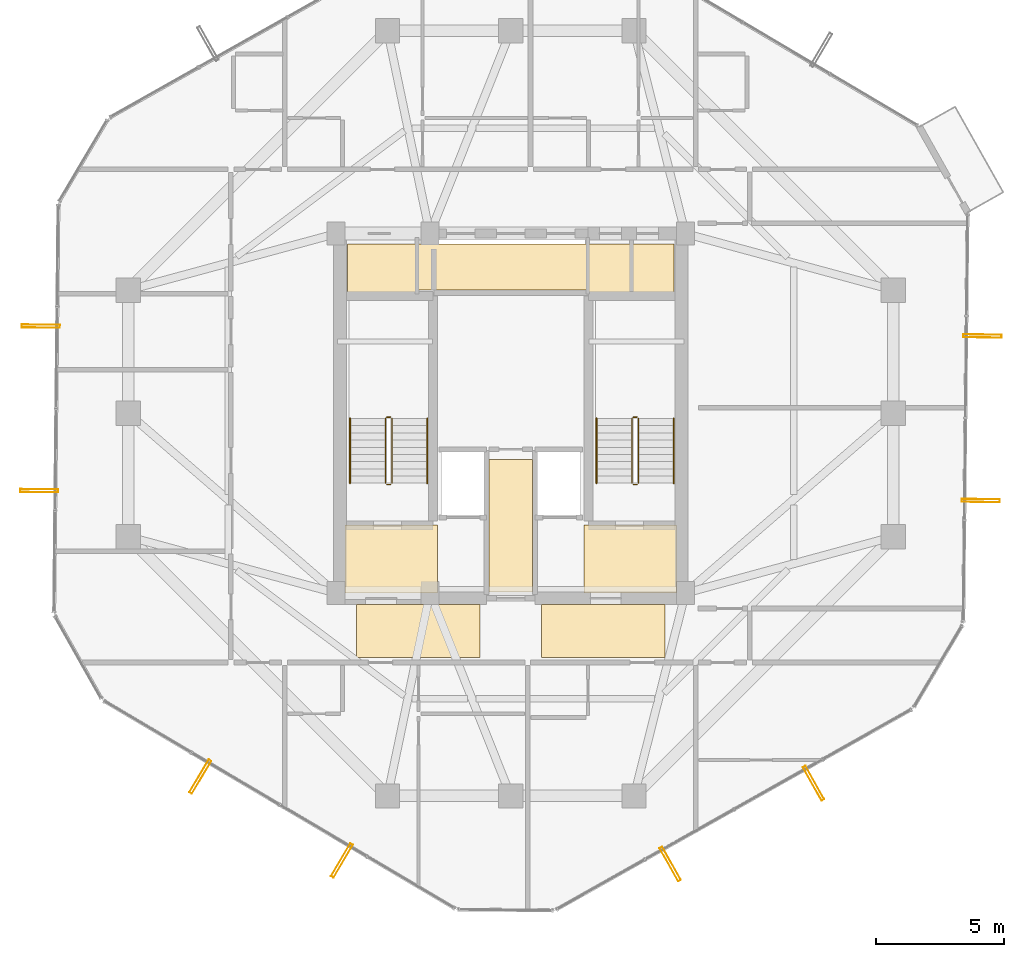
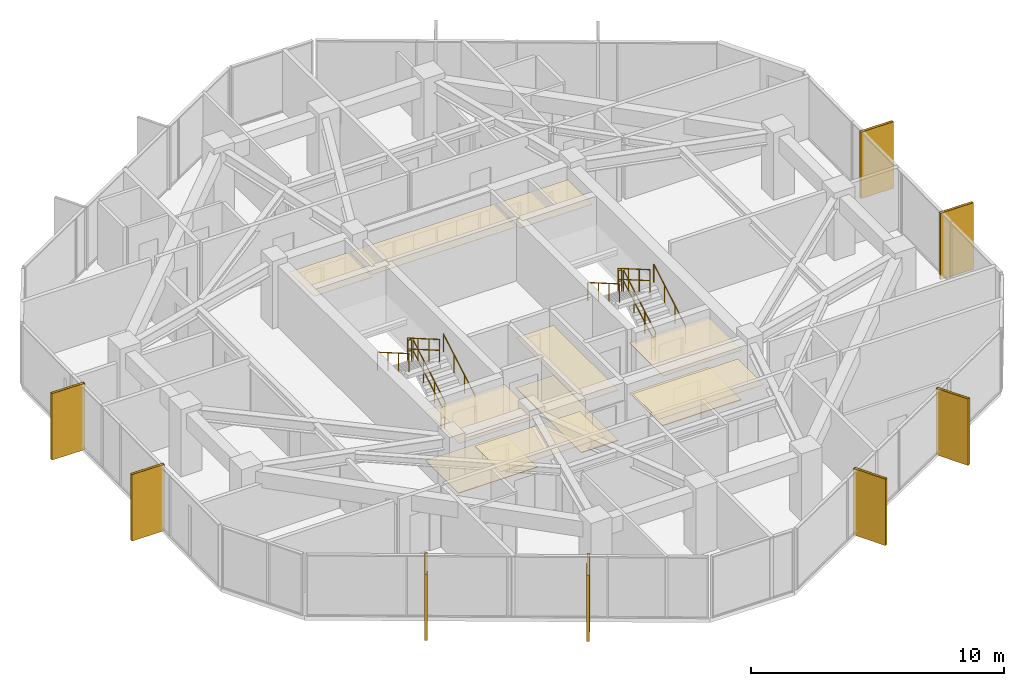
# One storey, part 29 of 30: 12 railings, 11 coverings, 8 shading devices.
"""IFC4 building model written with IfcOpenShell, lengths in metres."""

from ifc_helpers import new_model, si_unit, direction, frame, origin, origin_2d, place, context, subcontext, project, spatial, polyline, hollow_rectangle, circle, outline, extrude, material, layer, layer_set, material_profile, profile_set, type_object, element, save


model = new_model("IFC4")

# Units and contexts
model_context = context("Model", 3, precision=1e-05, world=origin(), true_north=direction((0.0, 1.0)))
body_context = subcontext(model_context, "Body", "Model", "MODEL_VIEW")
ifc_project = project(units=[si_unit("LENGTHUNIT", "METRE"), si_unit("AREAUNIT", "SQUARE_METRE"), si_unit("VOLUMEUNIT", "CUBIC_METRE"), si_unit("PLANEANGLEUNIT", "RADIAN"), si_unit("MASSUNIT", "GRAM", prefix="KILO")], contexts=[model_context])

# Site, building, storey
site_placement = place(None, origin())
site = spatial("IfcSite", under=ifc_project, at=site_placement, CompositionType="ELEMENT")
building_placement = place(site_placement, origin())
building = spatial("IfcBuilding", under=site, at=building_placement, Name="Veraguas Prism Commons", CompositionType="ELEMENT")
storey_placement = place(building_placement, frame((0.0, 0.0, 208.10009765625)))
storey = spatial("IfcBuildingStorey", under=building, at=storey_placement, Name="L59", CompositionType="ELEMENT", Elevation=208.10009765625)

# Shading devices
ifc_material_1 = material(Name="Anodised aluminium EN AW-6063 T6", Category="aluminium")
ifc_material_profile = material_profile(ifc_material_1, hollow_rectangle(XDim=0.1201171875, YDim=1.489990234375, WallThickness=0.006103515625, at=origin_2d()), Name="FIN120X1490X6")
ifc_profile_set = profile_set([ifc_material_profile], Name="Anodised aluminium EN AW-6063 T6")
shading_device_type = type_object("IfcShadingDeviceType", Name="Deep Pale-Metal Vertical Solar Fin 120x1490", PredefinedType="USERDEFINED", material=ifc_profile_set)
for number, where, z_axis, x_axis, name in (
    (1, (5.69921875, 27.396240234375, -0.215087890625), (0.0, 0.0, 1.0), (-0.010466548415, -0.999945224182, 0.0), "Vertical Pale-Metal Solar Fin L59-F3A"),
    (2, (5.632080078125, 20.98779296875, -0.215087890625), (0.0, 0.0, 1.0), (-0.010466548415, -0.999945224182, 0.0), "Vertical Pale-Metal Solar Fin L59-F3B"),
    (3, (11.908447265625, 9.849365234375, -0.215087890625), (0.0, 0.0, 1.0), (0.860742027004, -0.50904141575, 0.0), "Vertical Pale-Metal Solar Fin L59-F4A"),
    (4, (17.4248046875, 6.5869140625, -0.215087890625), (0.0, 0.0, 1.0), (0.860742027004, -0.50904141575, 0.0), "Vertical Pale-Metal Solar Fin L59-F4B"),
    (5, (30.208984375, 6.452880859375, -0.215087890625), (0.0, 0.0, 1.0), (0.87121381112, 0.490903753615, 0.0), "Vertical Pale-Metal Solar Fin L59-F5A"),
    (6, (35.79248046875, 9.59912109375, -0.215087890625), (0.0, 0.0, 1.0), (0.87121381112, 0.490903753615, 0.0), "Vertical Pale-Metal Solar Fin L59-F5B"),
    (7, (42.30078125, 20.603759765625, -0.215087890625), (0.0, 0.0, 1.0), (0.010466548415, 0.999945224182, 0.0), "Vertical Pale-Metal Solar Fin L59-F6A"),
    (8, (42.367919921875, 27.01220703125, -0.215087890625), (0.0, 0.0, 1.0), (0.010466548415, 0.999945224182, 0.0), "Vertical Pale-Metal Solar Fin L59-F6B"),
):
    element("IfcShadingDevice", number, at=place(storey_placement, frame(where, z_axis=z_axis, x_axis=x_axis)), inside=storey, type_object=shading_device_type, Name=name, ObjectType="FIN", PredefinedType="USERDEFINED", context=body_context, shape_type="SweptSolid", body=[
        extrude(hollow_rectangle(XDim=0.1201171875, YDim=1.489990234375, WallThickness=0.006103515625, at=origin_2d()), origin(), (0.0, 0.0, 1.0), 3.205078125),
    ])

# Coverings
ifc_material_2 = material(Name="Acoustic gypsum board")
ifc_layer_1 = layer(ifc_material_2, 0.02490234375, Name="Perforated Acoustic Ceiling Tile 25")
ifc_layer_set_1 = layer_set([ifc_layer_1], Name="Acoustic gypsum board")
covering_type_1 = type_object("IfcCoveringType", Name="Perforated Acoustic Ceiling Tile 25", PredefinedType="USERDEFINED", material=ifc_layer_set_1)
covering_1_placement = place(storey_placement, frame((0.0, 0.0, 2.4248046875)))
element("IfcCovering", 9, at=covering_1_placement, inside=storey, type_object=covering_type_1, Name="East Lobby Acoustic Ceiling L59", ObjectType="ACOUSTIC CEILING", PredefinedType="USERDEFINED", context=body_context, shape_type="SweptSolid", body=[
    extrude(outline(polyline([(26.85009765625, 17.0), (30.449951171875, 17.0), (30.449951171875, 19.64990234375), (26.85009765625, 19.64990234375), (26.85009765625, 17.0)])), origin(), (0.0, 0.0, 1.0), 0.025146484375),
])
ifc_material_3 = material(Name="Terrazzo stone finish", Category="masonry")
ifc_layer_2 = layer(ifc_material_3, 0.030029296875, Name="Polished Terrazzo Floor Finish 30", Category="masonry")
ifc_layer_set_2 = layer_set([ifc_layer_2], Name="Terrazzo stone finish")
covering_type_2 = type_object("IfcCoveringType", Name="Polished Terrazzo Floor Finish 30", PredefinedType="FLOORING", material=ifc_layer_set_2)
covering_2_placement = place(storey_placement, origin())
element("IfcCovering", 10, at=covering_2_placement, inside=storey, type_object=covering_type_2, Name="Terrazzo Lobby Flooring L59", PredefinedType="FLOORING", context=body_context, shape_type="SweptSolid", body=[
    extrude(outline(polyline([(23.14990234375, 17.050048828125), (24.85009765625, 17.050048828125), (24.85009765625, 22.199951171875), (23.14990234375, 22.199951171875), (23.14990234375, 17.050048828125)])), origin(), (0.0, 0.0, 1.0), 0.02978515625),
])
covering_3_placement = place(storey_placement, origin())
element("IfcCovering", 11, at=covering_3_placement, inside=storey, type_object=covering_type_2, Name="West FF Lobby Terrazzo Flooring L59", PredefinedType="FLOORING", context=body_context, shape_type="SweptSolid", body=[
    extrude(outline(polyline([(17.550048828125, 17.050048828125), (21.14990234375, 17.050048828125), (21.14990234375, 19.64990234375), (17.550048828125, 19.64990234375), (17.550048828125, 17.050048828125)])), origin(), (0.0, 0.0, 1.0), 0.02978515625),
])
covering_4_placement = place(storey_placement, origin())
element("IfcCovering", 12, at=covering_4_placement, inside=storey, type_object=covering_type_2, Name="East FF Lobby Terrazzo Flooring L59", PredefinedType="FLOORING", context=body_context, shape_type="SweptSolid", body=[
    extrude(outline(polyline([(26.85009765625, 17.050048828125), (30.449951171875, 17.050048828125), (30.449951171875, 19.64990234375), (26.85009765625, 19.64990234375), (26.85009765625, 17.050048828125)])), origin(), (0.0, 0.0, 1.0), 0.02978515625),
])

# Railings
ifc_material_4 = material(Name="Stainless steel AISI 316", Category="steel")
railing_type_1 = type_object("IfcRailingType", Name="Stair and Ramp Stainless Handrail 900", PredefinedType="HANDRAIL", material=ifc_material_4)
railing_1_placement = place(storey_placement, frame((20.75, 21.280029296875, 0.162353515625)))
element("IfcRailing", 13, at=railing_1_placement, inside=storey, type_object=railing_type_1, Name="Stair Handrail ST-01 L59-1", PredefinedType="HANDRAIL", context=body_context, shape_type="SweptSolid", body=[
    extrude(circle(Radius=0.02392578125, at=origin_2d()), frame((0.0, 0.0, 0.8759765625), z_axis=(0.0, 0.864876961378, 0.501983905795), x_axis=(-1.0, 0.0, 0.0)), (0.0, 0.0, 1.0), 2.913818359375),
    extrude(circle(Radius=0.02099609375, at=origin_2d()), origin(), (0.0, 0.0, 1.0), 0.851806640625),
    extrude(circle(Radius=0.02099609375, at=origin_2d()), frame((0.0, 0.840087890625, 0.487548828125)), (0.0, 0.0, 1.0), 0.851806640625),
    extrude(circle(Radius=0.02099609375, at=origin_2d()), frame((0.0, 1.679931640625, 0.97509765625)), (0.0, 0.0, 1.0), 0.851806640625),
    extrude(circle(Radius=0.02099609375, at=origin_2d()), frame((0.0, 2.52001953125, 1.462646484375)), (0.0, 0.0, 1.0), 0.851806640625),
])
railing_2_placement = place(storey_placement, frame((17.739990234375, 23.800048828125, 1.787353515625)))
element("IfcRailing", 14, at=railing_2_placement, inside=storey, type_object=railing_type_1, Name="Stair Handrail ST-01 L59-2", PredefinedType="HANDRAIL", context=body_context, shape_type="SweptSolid", body=[
    extrude(circle(Radius=0.02392578125, at=origin_2d()), frame((0.0, 0.0, 0.8759765625), z_axis=(0.0, -0.864876961378, 0.501983905795), x_axis=(1.0, 0.0, 0.0)), (0.0, 0.0, 1.0), 2.913818359375),
    extrude(circle(Radius=0.02099609375, at=origin_2d()), origin(), (0.0, 0.0, 1.0), 0.851806640625),
    extrude(circle(Radius=0.02099609375, at=origin_2d()), frame((0.0, -0.840087890625, 0.487548828125)), (0.0, 0.0, 1.0), 0.851806640625),
    extrude(circle(Radius=0.02099609375, at=origin_2d()), frame((0.0, -1.679931640625, 0.97509765625)), (0.0, 0.0, 1.0), 0.851806640625),
    extrude(circle(Radius=0.02099609375, at=origin_2d()), frame((0.0, -2.52001953125, 1.462646484375)), (0.0, 0.0, 1.0), 0.851806640625),
])
railing_3_placement = place(storey_placement, frame((30.35009765625, 21.280029296875, 0.162353515625)))
element("IfcRailing", 15, at=railing_3_placement, inside=storey, type_object=railing_type_1, Name="Stair Handrail ST-02 L59-1", PredefinedType="HANDRAIL", context=body_context, shape_type="SweptSolid", body=[
    extrude(circle(Radius=0.02392578125, at=origin_2d()), frame((0.0, 0.0, 0.8759765625), z_axis=(0.0, 0.864876961378, 0.501983905795), x_axis=(-1.0, 0.0, 0.0)), (0.0, 0.0, 1.0), 2.913818359375),
    extrude(circle(Radius=0.02099609375, at=origin_2d()), origin(), (0.0, 0.0, 1.0), 0.851806640625),
    extrude(circle(Radius=0.02099609375, at=origin_2d()), frame((0.0, 0.840087890625, 0.487548828125)), (0.0, 0.0, 1.0), 0.851806640625),
    extrude(circle(Radius=0.02099609375, at=origin_2d()), frame((0.0, 1.679931640625, 0.97509765625)), (0.0, 0.0, 1.0), 0.851806640625),
    extrude(circle(Radius=0.02099609375, at=origin_2d()), frame((0.0, 2.52001953125, 1.462646484375)), (0.0, 0.0, 1.0), 0.851806640625),
])
railing_4_placement = place(storey_placement, frame((27.340087890625, 23.800048828125, 1.787353515625)))
element("IfcRailing", 16, at=railing_4_placement, inside=storey, type_object=railing_type_1, Name="Stair Handrail ST-02 L59-2", PredefinedType="HANDRAIL", context=body_context, shape_type="SweptSolid", body=[
    extrude(circle(Radius=0.02392578125, at=origin_2d()), frame((0.0, 0.0, 0.8759765625), z_axis=(0.0, -0.864876961378, 0.501983905795), x_axis=(1.0, 0.0, 0.0)), (0.0, 0.0, 1.0), 2.913818359375),
    extrude(circle(Radius=0.02099609375, at=origin_2d()), origin(), (0.0, 0.0, 1.0), 0.851806640625),
    extrude(circle(Radius=0.02099609375, at=origin_2d()), frame((0.0, -0.840087890625, 0.487548828125)), (0.0, 0.0, 1.0), 0.851806640625),
    extrude(circle(Radius=0.02099609375, at=origin_2d()), frame((0.0, -1.679931640625, 0.97509765625)), (0.0, 0.0, 1.0), 0.851806640625),
    extrude(circle(Radius=0.02099609375, at=origin_2d()), frame((0.0, -2.52001953125, 1.462646484375)), (0.0, 0.0, 1.0), 0.851806640625),
])
railing_type_2 = type_object("IfcRailingType", Name="Stairwell Safety Guardrail 1100", PredefinedType="GUARDRAIL", material=ifc_material_4)
railing_5_placement = place(storey_placement, frame((19.3701171875, 21.280029296875, 0.162353515625)))
element("IfcRailing", 17, at=railing_5_placement, inside=storey, type_object=railing_type_2, Name="Stair Guard ST-01 L59-1", PredefinedType="GUARDRAIL", context=body_context, shape_type="SweptSolid", body=[
    extrude(circle(Radius=0.02392578125, at=origin_2d()), frame((0.0, 0.0, 1.076171875), z_axis=(0.0, 0.864876961378, 0.501983905795), x_axis=(-1.0, 0.0, 0.0)), (0.0, 0.0, 1.0), 2.913818359375),
    extrude(circle(Radius=0.02392578125, at=origin_2d()), frame((0.0, 0.0, 0.550048828125), z_axis=(0.0, 0.864876961378, 0.501983905795), x_axis=(-1.0, 0.0, 0.0)), (0.0, 0.0, 1.0), 2.913818359375),
    extrude(circle(Radius=0.02099609375, at=origin_2d()), origin(), (0.0, 0.0, 1.0), 1.052001953125),
    extrude(circle(Radius=0.02099609375, at=origin_2d()), frame((0.0, 0.840087890625, 0.487548828125)), (0.0, 0.0, 1.0), 1.052001953125),
    extrude(circle(Radius=0.02099609375, at=origin_2d()), frame((0.0, 1.679931640625, 0.97509765625)), (0.0, 0.0, 1.0), 1.052001953125),
    extrude(circle(Radius=0.02099609375, at=origin_2d()), frame((0.0, 2.52001953125, 1.462646484375)), (0.0, 0.0, 1.0), 1.052001953125),
])
railing_6_placement = place(storey_placement, frame((19.320068359375, 23.85009765625, 1.625)))
element("IfcRailing", 18, at=railing_6_placement, inside=storey, type_object=railing_type_2, Name="Stair Guard ST-01 L59-2", PredefinedType="GUARDRAIL", context=body_context, shape_type="SweptSolid", body=[
    extrude(circle(Radius=0.02392578125, at=origin_2d()), frame((0.0, 0.0, 1.076171875), z_axis=(-1.0, 0.0, 0.0), x_axis=(0.0, -1.0, 0.0)), (0.0, 0.0, 1.0), 0.150146484375),
    extrude(circle(Radius=0.02392578125, at=origin_2d()), frame((0.0, 0.0, 0.550048828125), z_axis=(-1.0, 0.0, 0.0), x_axis=(0.0, -1.0, 0.0)), (0.0, 0.0, 1.0), 0.150146484375),
    extrude(circle(Radius=0.02099609375, at=origin_2d()), origin(), (0.0, 0.0, 1.0), 1.052001953125),
    extrude(circle(Radius=0.02099609375, at=origin_2d()), frame((-0.150146484375, 0.0, 0.0)), (0.0, 0.0, 1.0), 1.052001953125),
])
railing_7_placement = place(storey_placement, frame((19.1201171875, 23.800048828125, 1.787353515625)))
element("IfcRailing", 19, at=railing_7_placement, inside=storey, type_object=railing_type_2, Name="Stair Guard ST-01 L59-3", PredefinedType="GUARDRAIL", context=body_context, shape_type="SweptSolid", body=[
    extrude(circle(Radius=0.02392578125, at=origin_2d()), frame((0.0, 0.0, 1.076171875), z_axis=(0.0, -0.864876961378, 0.501983905795), x_axis=(1.0, 0.0, 0.0)), (0.0, 0.0, 1.0), 2.913818359375),
    extrude(circle(Radius=0.02392578125, at=origin_2d()), frame((0.0, 0.0, 0.550048828125), z_axis=(0.0, -0.864876961378, 0.501983905795), x_axis=(1.0, 0.0, 0.0)), (0.0, 0.0, 1.0), 2.913818359375),
    extrude(circle(Radius=0.02099609375, at=origin_2d()), origin(), (0.0, 0.0, 1.0), 1.052001953125),
    extrude(circle(Radius=0.02099609375, at=origin_2d()), frame((0.0, -0.840087890625, 0.487548828125)), (0.0, 0.0, 1.0), 1.052001953125),
    extrude(circle(Radius=0.02099609375, at=origin_2d()), frame((0.0, -1.679931640625, 0.97509765625)), (0.0, 0.0, 1.0), 1.052001953125),
    extrude(circle(Radius=0.02099609375, at=origin_2d()), frame((0.0, -2.52001953125, 1.462646484375)), (0.0, 0.0, 1.0), 1.052001953125),
])
railing_8_placement = place(storey_placement, frame((19.320068359375, 21.22998046875, 0.0)))
element("IfcRailing", 20, at=railing_8_placement, inside=storey, type_object=railing_type_2, Name="Stair Guard ST-01 L59-4", PredefinedType="GUARDRAIL", context=body_context, shape_type="SweptSolid", body=[
    extrude(circle(Radius=0.02392578125, at=origin_2d()), frame((0.0, 0.0, 1.076171875), z_axis=(-1.0, 0.0, 0.0), x_axis=(0.0, -1.0, 0.0)), (0.0, 0.0, 1.0), 0.150146484375),
    extrude(circle(Radius=0.02392578125, at=origin_2d()), frame((0.0, 0.0, 0.550048828125), z_axis=(-1.0, 0.0, 0.0), x_axis=(0.0, -1.0, 0.0)), (0.0, 0.0, 1.0), 0.150146484375),
    extrude(circle(Radius=0.02099609375, at=origin_2d()), origin(), (0.0, 0.0, 1.0), 1.052001953125),
    extrude(circle(Radius=0.02099609375, at=origin_2d()), frame((-0.150146484375, 0.0, 0.0)), (0.0, 0.0, 1.0), 1.052001953125),
])
railing_9_placement = place(storey_placement, frame((28.969970703125, 21.280029296875, 0.162353515625)))
element("IfcRailing", 21, at=railing_9_placement, inside=storey, type_object=railing_type_2, Name="Stair Guard ST-02 L59-1", PredefinedType="GUARDRAIL", context=body_context, shape_type="SweptSolid", body=[
    extrude(circle(Radius=0.02392578125, at=origin_2d()), frame((0.0, 0.0, 1.076171875), z_axis=(0.0, 0.864876961378, 0.501983905795), x_axis=(-1.0, 0.0, 0.0)), (0.0, 0.0, 1.0), 2.913818359375),
    extrude(circle(Radius=0.02392578125, at=origin_2d()), frame((0.0, 0.0, 0.550048828125), z_axis=(0.0, 0.864876961378, 0.501983905795), x_axis=(-1.0, 0.0, 0.0)), (0.0, 0.0, 1.0), 2.913818359375),
    extrude(circle(Radius=0.02099609375, at=origin_2d()), origin(), (0.0, 0.0, 1.0), 1.052001953125),
    extrude(circle(Radius=0.02099609375, at=origin_2d()), frame((0.0, 0.840087890625, 0.487548828125)), (0.0, 0.0, 1.0), 1.052001953125),
    extrude(circle(Radius=0.02099609375, at=origin_2d()), frame((0.0, 1.679931640625, 0.97509765625)), (0.0, 0.0, 1.0), 1.052001953125),
    extrude(circle(Radius=0.02099609375, at=origin_2d()), frame((0.0, 2.52001953125, 1.462646484375)), (0.0, 0.0, 1.0), 1.052001953125),
])
railing_10_placement = place(storey_placement, frame((28.919921875, 23.85009765625, 1.625)))
element("IfcRailing", 22, at=railing_10_placement, inside=storey, type_object=railing_type_2, Name="Stair Guard ST-02 L59-2", PredefinedType="GUARDRAIL", context=body_context, shape_type="SweptSolid", body=[
    extrude(circle(Radius=0.02392578125, at=origin_2d()), frame((0.0, 0.0, 1.076171875), z_axis=(-1.0, 0.0, 0.0), x_axis=(0.0, -1.0, 0.0)), (0.0, 0.0, 1.0), 0.14990234375),
    extrude(circle(Radius=0.02392578125, at=origin_2d()), frame((0.0, 0.0, 0.550048828125), z_axis=(-1.0, 0.0, 0.0), x_axis=(0.0, -1.0, 0.0)), (0.0, 0.0, 1.0), 0.14990234375),
    extrude(circle(Radius=0.02099609375, at=origin_2d()), origin(), (0.0, 0.0, 1.0), 1.052001953125),
    extrude(circle(Radius=0.02099609375, at=origin_2d()), frame((-0.14990234375, 0.0, 0.0)), (0.0, 0.0, 1.0), 1.052001953125),
])
railing_11_placement = place(storey_placement, frame((28.719970703125, 23.800048828125, 1.787353515625)))
element("IfcRailing", 23, at=railing_11_placement, inside=storey, type_object=railing_type_2, Name="Stair Guard ST-02 L59-3", PredefinedType="GUARDRAIL", context=body_context, shape_type="SweptSolid", body=[
    extrude(circle(Radius=0.02392578125, at=origin_2d()), frame((0.0, 0.0, 1.076171875), z_axis=(0.0, -0.864876961378, 0.501983905795), x_axis=(1.0, 0.0, 0.0)), (0.0, 0.0, 1.0), 2.913818359375),
    extrude(circle(Radius=0.02392578125, at=origin_2d()), frame((0.0, 0.0, 0.550048828125), z_axis=(0.0, -0.864876961378, 0.501983905795), x_axis=(1.0, 0.0, 0.0)), (0.0, 0.0, 1.0), 2.913818359375),
    extrude(circle(Radius=0.02099609375, at=origin_2d()), origin(), (0.0, 0.0, 1.0), 1.052001953125),
    extrude(circle(Radius=0.02099609375, at=origin_2d()), frame((0.0, -0.840087890625, 0.487548828125)), (0.0, 0.0, 1.0), 1.052001953125),
    extrude(circle(Radius=0.02099609375, at=origin_2d()), frame((0.0, -1.679931640625, 0.97509765625)), (0.0, 0.0, 1.0), 1.052001953125),
    extrude(circle(Radius=0.02099609375, at=origin_2d()), frame((0.0, -2.52001953125, 1.462646484375)), (0.0, 0.0, 1.0), 1.052001953125),
])
railing_12_placement = place(storey_placement, frame((28.919921875, 21.22998046875, 0.0)))
element("IfcRailing", 24, at=railing_12_placement, inside=storey, type_object=railing_type_2, Name="Stair Guard ST-02 L59-4", PredefinedType="GUARDRAIL", context=body_context, shape_type="SweptSolid", body=[
    extrude(circle(Radius=0.02392578125, at=origin_2d()), frame((0.0, 0.0, 1.076171875), z_axis=(-1.0, 0.0, 0.0), x_axis=(0.0, -1.0, 0.0)), (0.0, 0.0, 1.0), 0.14990234375),
    extrude(circle(Radius=0.02392578125, at=origin_2d()), frame((0.0, 0.0, 0.550048828125), z_axis=(-1.0, 0.0, 0.0), x_axis=(0.0, -1.0, 0.0)), (0.0, 0.0, 1.0), 0.14990234375),
    extrude(circle(Radius=0.02099609375, at=origin_2d()), origin(), (0.0, 0.0, 1.0), 1.052001953125),
    extrude(circle(Radius=0.02099609375, at=origin_2d()), frame((-0.14990234375, 0.0, 0.0)), (0.0, 0.0, 1.0), 1.052001953125),
])

# Coverings
ifc_layer_3 = layer(ifc_material_2, 0.02001953125, Name="Suspended Gypsum Ceiling 20")
ifc_layer_set_3 = layer_set([ifc_layer_3], Name="Acoustic gypsum board")
covering_type_3 = type_object("IfcCoveringType", Name="Suspended Gypsum Ceiling 20", PredefinedType="CEILING", material=ifc_layer_set_3)
covering_5_placement = place(storey_placement, frame((0.0, 0.0, 2.429931640625)))
element("IfcCovering", 25, at=covering_5_placement, inside=storey, type_object=covering_type_3, Name="West Lobby Suspended Gypsum Ceiling L59", PredefinedType="CEILING", context=body_context, shape_type="SweptSolid", body=[
    extrude(outline(polyline([(17.550048828125, 17.0), (21.14990234375, 17.0), (21.14990234375, 19.64990234375), (17.550048828125, 19.64990234375), (17.550048828125, 17.0)])), origin(), (0.0, 0.0, 1.0), 0.02001953125),
])
covering_6_placement = place(storey_placement, frame((0.0, 0.0, 2.429931640625)))
element("IfcCovering", 26, at=covering_6_placement, inside=storey, type_object=covering_type_3, Name="Core Lobby Acoustic Ceiling L59-1", PredefinedType="CEILING", context=body_context, shape_type="SweptSolid", body=[
    extrude(outline(polyline([(18.0, 14.5), (22.800048828125, 14.5), (22.800048828125, 16.550048828125), (18.0, 16.550048828125), (18.0, 14.5)])), origin(), (0.0, 0.0, 1.0), 0.02001953125),
])
covering_7_placement = place(storey_placement, frame((0.0, 0.0, 2.429931640625)))
element("IfcCovering", 27, at=covering_7_placement, inside=storey, type_object=covering_type_3, Name="Core Lobby Acoustic Ceiling L59-2", PredefinedType="CEILING", context=body_context, shape_type="SweptSolid", body=[
    extrude(outline(polyline([(25.199951171875, 14.5), (30.0, 14.5), (30.0, 16.550048828125), (25.199951171875, 16.550048828125), (25.199951171875, 14.5)])), origin(), (0.0, 0.0, 1.0), 0.02001953125),
])
covering_8_placement = place(storey_placement, frame((0.0, 0.0, 2.429931640625)))
element("IfcCovering", 28, at=covering_8_placement, inside=storey, type_object=covering_type_3, Name="Core Lobby Acoustic Ceiling L59-3", PredefinedType="CEILING", context=body_context, shape_type="SweptSolid", body=[
    extrude(outline(polyline([(23.14990234375, 17.050048828125), (24.85009765625, 17.050048828125), (24.85009765625, 22.199951171875), (23.14990234375, 22.199951171875), (23.14990234375, 17.050048828125)])), origin(), (0.0, 0.0, 1.0), 0.02001953125),
])
covering_9_placement = place(storey_placement, frame((0.0, 0.0, 2.429931640625)))
element("IfcCovering", 29, at=covering_9_placement, inside=storey, type_object=covering_type_3, Name="Core Lobby Acoustic Ceiling L59-4", PredefinedType="CEILING", context=body_context, shape_type="SweptSolid", body=[
    extrude(outline(polyline([(17.64990234375, 28.64990234375), (20.300048828125, 28.64990234375), (20.300048828125, 30.60009765625), (17.64990234375, 30.60009765625), (17.64990234375, 28.64990234375)])), origin(), (0.0, 0.0, 1.0), 0.02001953125),
])
covering_10_placement = place(storey_placement, frame((0.0, 0.0, 2.429931640625)))
element("IfcCovering", 30, at=covering_10_placement, inside=storey, type_object=covering_type_3, Name="Core Lobby Acoustic Ceiling L59-5", PredefinedType="CEILING", context=body_context, shape_type="SweptSolid", body=[
    extrude(outline(polyline([(27.050048828125, 28.64990234375), (30.35009765625, 28.64990234375), (30.35009765625, 30.60009765625), (27.050048828125, 30.60009765625), (27.050048828125, 28.64990234375)])), origin(), (0.0, 0.0, 1.0), 0.02001953125),
])
covering_11_placement = place(storey_placement, frame((0.0, 0.0, 2.429931640625)))
element("IfcCovering", 31, at=covering_11_placement, inside=storey, type_object=covering_type_3, Name="Core Lobby Acoustic Ceiling L59-6", PredefinedType="CEILING", context=body_context, shape_type="SweptSolid", body=[
    extrude(outline(polyline([(20.39990234375, 28.800048828125), (26.949951171875, 28.800048828125), (26.949951171875, 30.60009765625), (20.39990234375, 30.60009765625), (20.39990234375, 28.800048828125)])), origin(), (0.0, 0.0, 1.0), 0.02001953125),
])

save(model, "model.ifc")
